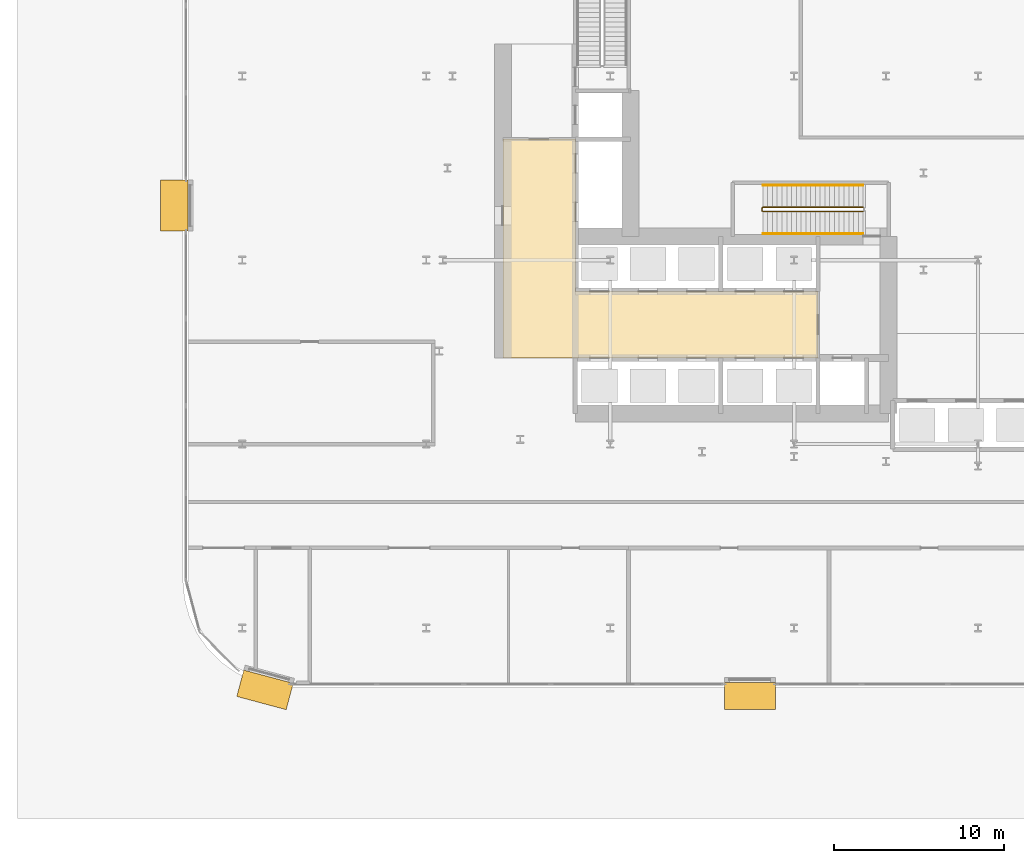
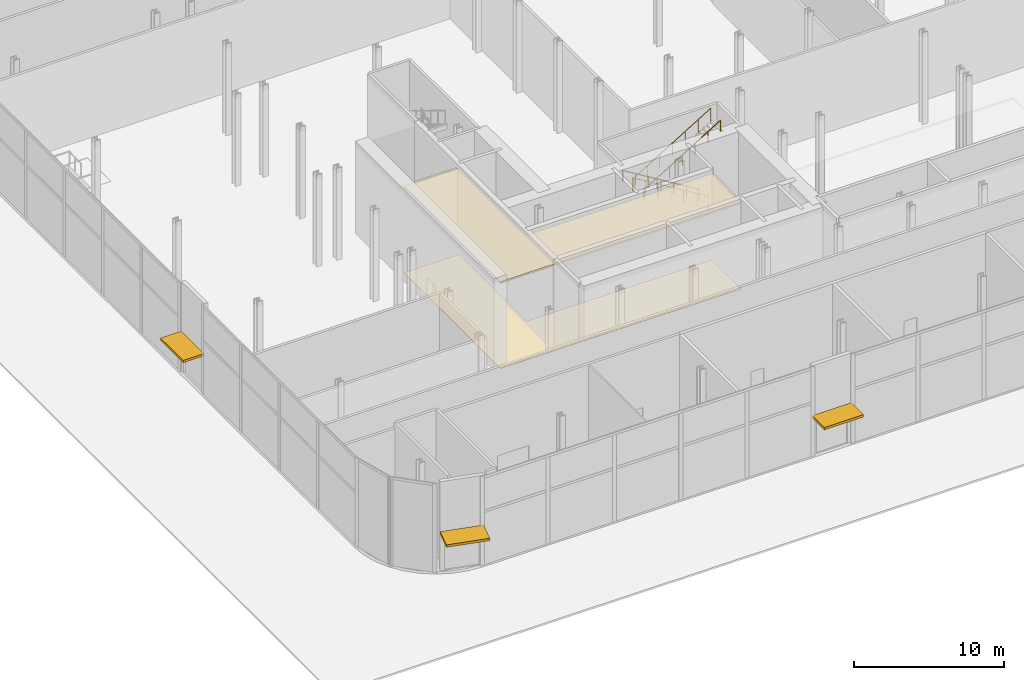
# One storey, part 35 of 46: 3 railings, 3 shading devices, 2 coverings.
"""IFC4 building model written with IfcOpenShell, lengths in metres."""

from ifc_helpers import new_model, si_unit, direction, frame, origin, origin_2d, place, context, subcontext, project, spatial, polyline, rectangle, circle, outline, extrude, material, layer, layer_set, type_object, element, save


model = new_model("IFC4")

# Units and contexts
model_context = context("Model", 3, precision=1e-05, world=origin(), true_north=direction((0.0, 1.0)))
body_context = subcontext(model_context, "Body", "Model", "MODEL_VIEW")
ifc_project = project(units=[si_unit("LENGTHUNIT", "METRE"), si_unit("AREAUNIT", "SQUARE_METRE"), si_unit("VOLUMEUNIT", "CUBIC_METRE"), si_unit("PLANEANGLEUNIT", "RADIAN"), si_unit("MASSUNIT", "GRAM", prefix="KILO")], contexts=[model_context])

# Site, building, storey
site_placement = place(None, origin())
site = spatial("IfcSite", under=ifc_project, at=site_placement, CompositionType="ELEMENT")
building_placement = place(site_placement, origin())
building = spatial("IfcBuilding", under=site, at=building_placement, Name="Kheshtan School and Residences Tower", CompositionType="ELEMENT")
storey_placement = place(building_placement, origin())
storey = spatial("IfcBuildingStorey", under=building, at=storey_placement, Name="L00", CompositionType="ELEMENT", Elevation=0.0)

# Shading devices
ifc_material_1 = material(Name="Zinc standing seam on insulated deck")
ifc_layer_1 = layer(ifc_material_1, 0.10009765625)
ifc_layer_set_1 = layer_set([ifc_layer_1], Name="Canopy awning")
shading_device_type = type_object("IfcShadingDeviceType", Name="Canopy awning", PredefinedType="AWNING", material=ifc_layer_set_1)
for number, where, z_axis, x_axis, name in (
    (1, (45.0, 9.199951171875, 3.0), (0.0, 0.0, 1.0), (-1.0, 0.0, 0.0), "Entrance canopy 12.9"),
    (2, (16.531982421875, 9.56494140625, 3.0), (0.0, 0.0, 1.0), (-0.965912273231, 0.258869620506, 0.0), "Entrance canopy 13.1"),
    (3, (11.199951171875, 38.0, 3.0), (0.0, 0.0, 1.0), (0.0, 1.0, 0.0), "Entrance canopy 16.1"),
):
    element("IfcShadingDevice", number, at=place(storey_placement, frame(where, z_axis=z_axis, x_axis=x_axis)), inside=storey, type_object=shading_device_type, Name=name, PredefinedType="AWNING", context=body_context, shape_type="SweptSolid", body=[
        extrude(rectangle(XDim=3.0, YDim=1.60009765625, at=origin_2d()), origin(), (0.0, 0.0, 1.0), 0.199951171875),
    ])

# Railings
ifc_material_2 = material(Name="Stainless steel balustrade", Category="steel")
railing_type_1 = type_object("IfcRailingType", Name="Stair guard 1100", PredefinedType="GUARDRAIL", material=ifc_material_2)
railing_1_placement = place(storey_placement, frame((51.64990234375, 37.89990234375, 0.17041015625)))
element("IfcRailing", 4, at=railing_1_placement, inside=storey, type_object=railing_type_1, Name="L00 ST1 stair guard 1", PredefinedType="GUARDRAIL", context=body_context, shape_type="SweptSolid", body=[
    extrude(circle(Radius=0.02392578125, at=origin_2d()), frame((0.0, 0.0, 1.076171875), z_axis=(-0.854164310681, 0.0, 0.520003202259), x_axis=(0.0, -1.0, 0.0)), (0.0, 0.0, 1.0), 6.8837890625),
    extrude(circle(Radius=0.02392578125, at=origin_2d()), frame((-5.8798828125, 0.0, 4.65576171875), z_axis=(-0.708833529934, -0.705375805398, 0.0), x_axis=(0.705375805398, -0.708833529934, 0.0)), (0.0, 0.0, 1.0), 0.070556640625),
    extrude(circle(Radius=0.02392578125, at=origin_2d()), frame((-5.929931640625, -0.0498046875, 4.65576171875), z_axis=(0.0, -1.0, 0.0), x_axis=(1.0, 0.0, 0.0)), (0.0, 0.0, 1.0), 0.150146484375),
    extrude(circle(Radius=0.02392578125, at=origin_2d()), frame((-5.929931640625, -0.199951171875, 4.65576171875), z_axis=(0.271230943075, -0.271230943075, 0.923508284228), x_axis=(0.707106781187, 0.707106781187, 0.0)), (0.0, 0.0, 1.0), 0.1845703125),
    extrude(circle(Radius=0.02392578125, at=origin_2d()), frame((-5.8798828125, -0.25, 4.826171875), z_axis=(0.854164310681, 0.0, 0.520003202259), x_axis=(0.0, 1.0, 0.0)), (0.0, 0.0, 1.0), 6.8837890625),
    extrude(circle(Radius=0.02099609375, at=origin_2d()), origin(), (0.0, 0.0, 1.0), 1.052001953125),
    extrude(circle(Radius=0.02099609375, at=origin_2d()), frame((-0.97998046875, 0.0, 0.5966796875)), (0.0, 0.0, 1.0), 1.052001953125),
    extrude(circle(Radius=0.02099609375, at=origin_2d()), frame((-1.9599609375, 0.0, 1.193115234375)), (0.0, 0.0, 1.0), 1.052001953125),
    extrude(circle(Radius=0.02099609375, at=origin_2d()), frame((-2.93994140625, 0.0, 1.789794921875)), (0.0, 0.0, 1.0), 1.052001953125),
    extrude(circle(Radius=0.02099609375, at=origin_2d()), frame((-3.919921875, 0.0, 2.386474609375)), (0.0, 0.0, 1.0), 1.052001953125),
    extrude(circle(Radius=0.02099609375, at=origin_2d()), frame((-4.89990234375, 0.0, 2.98291015625)), (0.0, 0.0, 1.0), 1.052001953125),
    extrude(circle(Radius=0.02099609375, at=origin_2d()), frame((-5.8798828125, 0.0, 3.57958984375)), (0.0, 0.0, 1.0), 1.052001953125),
    extrude(circle(Radius=0.02099609375, at=origin_2d()), frame((-5.929931640625, -0.0498046875, 3.57958984375)), (0.0, 0.0, 1.0), 1.052001953125),
    extrude(circle(Radius=0.02099609375, at=origin_2d()), frame((-5.929931640625, -0.199951171875, 3.57958984375)), (0.0, 0.0, 1.0), 1.052001953125),
    extrude(circle(Radius=0.02099609375, at=origin_2d()), frame((-5.8798828125, -0.25, 3.75)), (0.0, 0.0, 1.0), 1.052001953125),
    extrude(circle(Radius=0.02099609375, at=origin_2d()), frame((-4.89990234375, -0.25, 4.3466796875)), (0.0, 0.0, 1.0), 1.052001953125),
    extrude(circle(Radius=0.02099609375, at=origin_2d()), frame((-3.919921875, -0.25, 4.943115234375)), (0.0, 0.0, 1.0), 1.052001953125),
    extrude(circle(Radius=0.02099609375, at=origin_2d()), frame((-2.93994140625, -0.25, 5.539794921875)), (0.0, 0.0, 1.0), 1.052001953125),
    extrude(circle(Radius=0.02099609375, at=origin_2d()), frame((-1.9599609375, -0.25, 6.136474609375)), (0.0, 0.0, 1.0), 1.052001953125),
    extrude(circle(Radius=0.02099609375, at=origin_2d()), frame((-0.97998046875, -0.25, 6.73291015625)), (0.0, 0.0, 1.0), 1.052001953125),
    extrude(circle(Radius=0.02099609375, at=origin_2d()), frame((0.0, -0.25, 7.32958984375)), (0.0, 0.0, 1.0), 1.052001953125),
])
ifc_material_3 = material(Name="Stainless steel handrail", Category="steel")
railing_type_2 = type_object("IfcRailingType", Name="Stair handrail 900", PredefinedType="HANDRAIL", material=ifc_material_3)
railing_2_placement = place(storey_placement, frame((51.64990234375, 39.199951171875, 0.17041015625)))
element("IfcRailing", 5, at=railing_2_placement, inside=storey, type_object=railing_type_2, Name="L00 ST1 stair handrail 1", PredefinedType="HANDRAIL", context=body_context, shape_type="SweptSolid", body=[
    extrude(circle(Radius=0.02392578125, at=origin_2d()), frame((0.0, 0.0, 0.8759765625), z_axis=(-0.854164310681, 0.0, 0.520003202259), x_axis=(0.0, -1.0, 0.0)), (0.0, 0.0, 1.0), 6.8837890625),
    extrude(circle(Radius=0.02099609375, at=origin_2d()), origin(), (0.0, 0.0, 1.0), 0.851806640625),
    extrude(circle(Radius=0.02099609375, at=origin_2d()), frame((-0.97998046875, 0.0, 0.5966796875)), (0.0, 0.0, 1.0), 0.851806640625),
    extrude(circle(Radius=0.02099609375, at=origin_2d()), frame((-1.9599609375, 0.0, 1.193115234375)), (0.0, 0.0, 1.0), 0.851806640625),
    extrude(circle(Radius=0.02099609375, at=origin_2d()), frame((-2.93994140625, 0.0, 1.789794921875)), (0.0, 0.0, 1.0), 0.851806640625),
    extrude(circle(Radius=0.02099609375, at=origin_2d()), frame((-3.919921875, 0.0, 2.386474609375)), (0.0, 0.0, 1.0), 0.851806640625),
    extrude(circle(Radius=0.02099609375, at=origin_2d()), frame((-4.89990234375, 0.0, 2.98291015625)), (0.0, 0.0, 1.0), 0.851806640625),
    extrude(circle(Radius=0.02099609375, at=origin_2d()), frame((-5.8798828125, 0.0, 3.57958984375)), (0.0, 0.0, 1.0), 0.851806640625),
])
railing_3_placement = place(storey_placement, frame((45.77001953125, 36.35009765625, 3.92041015625)))
element("IfcRailing", 6, at=railing_3_placement, inside=storey, type_object=railing_type_2, Name="L00 ST1 stair handrail 2", PredefinedType="HANDRAIL", context=body_context, shape_type="SweptSolid", body=[
    extrude(circle(Radius=0.02392578125, at=origin_2d()), frame((0.0, 0.0, 0.8759765625), z_axis=(0.854164310681, 0.0, 0.520003202259), x_axis=(0.0, 1.0, 0.0)), (0.0, 0.0, 1.0), 6.8837890625),
    extrude(circle(Radius=0.02099609375, at=origin_2d()), origin(), (0.0, 0.0, 1.0), 0.851806640625),
    extrude(circle(Radius=0.02099609375, at=origin_2d()), frame((0.97998046875, 0.0, 0.5966796875)), (0.0, 0.0, 1.0), 0.851806640625),
    extrude(circle(Radius=0.02099609375, at=origin_2d()), frame((1.9599609375, 0.0, 1.193115234375)), (0.0, 0.0, 1.0), 0.851806640625),
    extrude(circle(Radius=0.02099609375, at=origin_2d()), frame((2.93994140625, 0.0, 1.789794921875)), (0.0, 0.0, 1.0), 0.851806640625),
    extrude(circle(Radius=0.02099609375, at=origin_2d()), frame((3.919921875, 0.0, 2.386474609375)), (0.0, 0.0, 1.0), 0.851806640625),
    extrude(circle(Radius=0.02099609375, at=origin_2d()), frame((4.89990234375, 0.0, 2.98291015625)), (0.0, 0.0, 1.0), 0.851806640625),
    extrude(circle(Radius=0.02099609375, at=origin_2d()), frame((5.8798828125, 0.0, 3.57958984375)), (0.0, 0.0, 1.0), 0.851806640625),
])

# Coverings
ifc_material_4 = material(Name="Polished granite paving on screed", Category="masonry")
ifc_layer_2 = layer(ifc_material_4, 0.030029296875)
ifc_layer_set_2 = layer_set([ifc_layer_2], Name="Stone floor finish 30")
covering_type_1 = type_object("IfcCoveringType", Name="Stone floor finish 30", PredefinedType="FLOORING", material=ifc_layer_set_2)
covering_1_placement = place(storey_placement, origin())
element("IfcCovering", 7, at=covering_1_placement, inside=storey, type_object=covering_type_1, Name="Floor finish Tower Lift Lobby L00", PredefinedType="FLOORING", context=body_context, shape_type="SweptSolid", body=[
    extrude(outline(polyline([(49.0, 29.050048828125), (49.0, 32.949951171875), (34.75, 32.949951171875), (34.75, 41.89990234375), (30.5, 41.89990234375), (30.5, 32.949951171875), (30.5, 29.050048828125), (49.0, 29.050048828125)])), origin(), (0.0, 0.0, 1.0), 0.030029296875),
])
ifc_material_5 = material(Name="Plasterboard ceiling tiles on metal grid")
ifc_layer_3 = layer(ifc_material_5, 0.14990234375)
ifc_layer_set_3 = layer_set([ifc_layer_3], Name="Suspended ceiling 150 plasterboard tiles")
covering_type_2 = type_object("IfcCoveringType", Name="Suspended ceiling 150 plasterboard tiles", PredefinedType="CEILING", material=ifc_layer_set_3)
covering_2_placement = place(storey_placement, frame((0.0, 0.0, 6.929931640625)))
element("IfcCovering", 8, at=covering_2_placement, inside=storey, type_object=covering_type_2, Name="Ceiling Tower Lift Lobby L00", PredefinedType="CEILING", context=body_context, shape_type="SweptSolid", body=[
    extrude(outline(polyline([(49.0, 29.050048828125), (49.0, 32.949951171875), (34.75, 32.949951171875), (34.75, 41.89990234375), (30.5, 41.89990234375), (30.5, 32.949951171875), (30.5, 29.050048828125), (49.0, 29.050048828125)])), origin(), (0.0, 0.0, 1.0), 0.150146484375),
])

save(model, "model.ifc")
